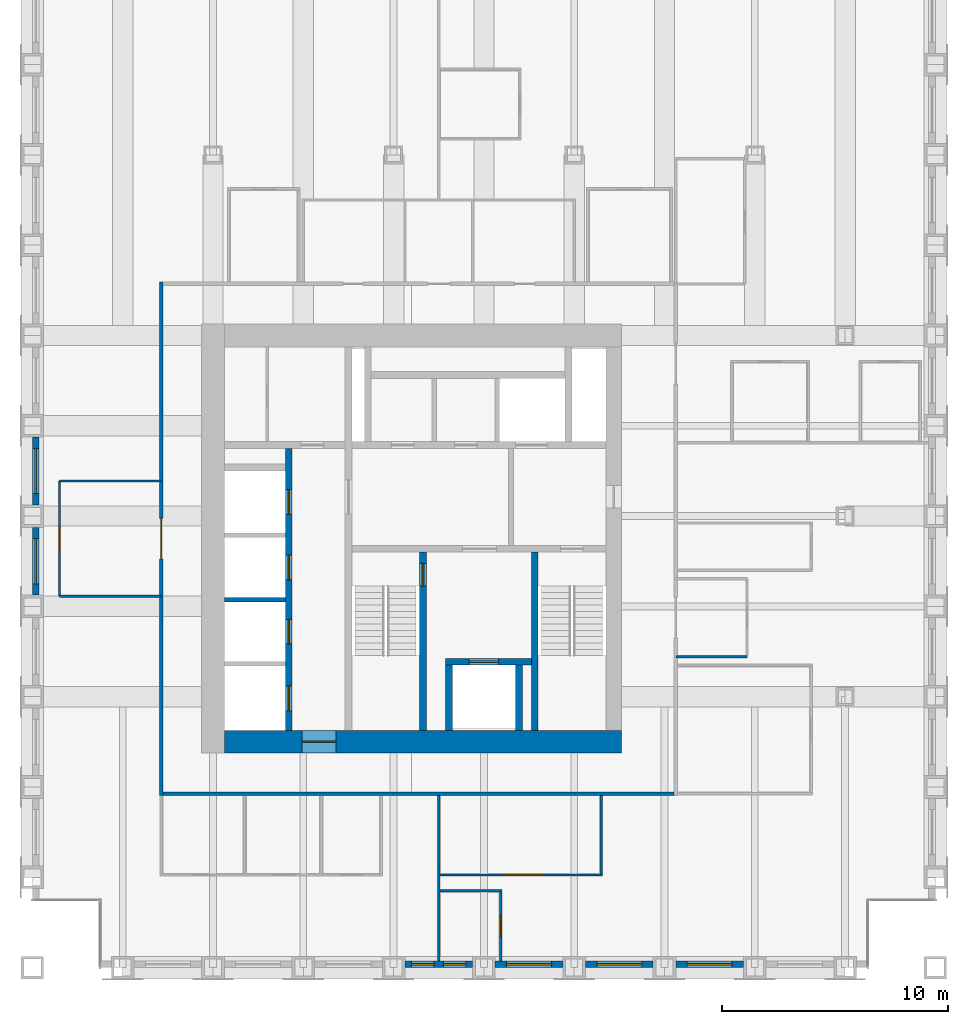
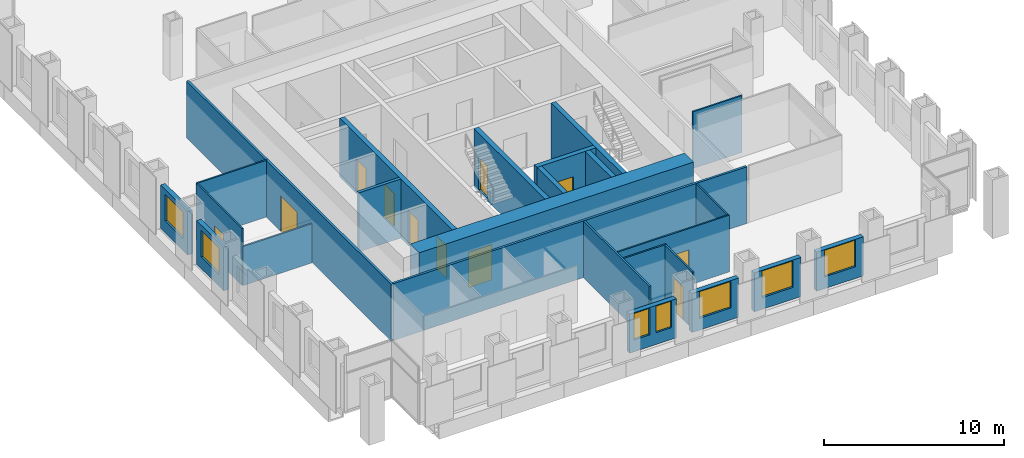
# One storey, part 9 of 14: 25 walls, 11 doors, 7 windows, 18 openings.
"""IFC4 building model written with IfcOpenShell, lengths in metres."""

from ifc_helpers import new_model, si_unit, direction, frame, frame_2d, origin, place, context, subcontext, project, spatial, rectangle, extrude, material, layer, layer_set, type_object, element, fill, save


model = new_model("IFC4")

# Units and contexts
model_context = context("Model", 3, precision=1e-05, world=origin(), true_north=direction((0.0, 1.0)))
body_context = subcontext(model_context, "Body", "Model", "MODEL_VIEW")
ifc_project = project(units=[si_unit("LENGTHUNIT", "METRE"), si_unit("AREAUNIT", "SQUARE_METRE"), si_unit("VOLUMEUNIT", "CUBIC_METRE"), si_unit("PLANEANGLEUNIT", "RADIAN"), si_unit("MASSUNIT", "GRAM", prefix="KILO")], contexts=[model_context])

# Site, building, storey
site_placement = place(None, origin())
site = spatial("IfcSite", under=ifc_project, at=site_placement, CompositionType="ELEMENT")
building_placement = place(site_placement, origin())
building = spatial("IfcBuilding", under=site, at=building_placement, Name="Rimbunsela Tower", CompositionType="ELEMENT")
storey_placement = place(building_placement, frame((0.0, 0.0, 234.199951171875)))
storey = spatial("IfcBuildingStorey", under=building, at=storey_placement, Name="L56", CompositionType="ELEMENT", Elevation=234.199951171875)

# Wall, opening, door
ifc_material_1 = material(Name="Concrete fc' 80 MPa", Category="concrete")
ifc_layer_1 = layer(ifc_material_1, 0.300048828125)
ifc_layer_set_1 = layer_set([ifc_layer_1], Name="Core internal wall 300")
wall_type_1 = type_object("IfcWallType", Name="Core internal wall 300", PredefinedType="SHEAR", material=ifc_layer_set_1)
wall_1_placement = place(storey_placement, frame((27.300048828125, 18.5, -0.14990234375), z_axis=(0.0, 0.0, 1.0), x_axis=(0.0, 1.0, 0.0)))
wall_1 = element("IfcWall", 1, at=wall_1_placement, inside=storey, type_object=wall_type_1, Name="Stair A enclosure", PredefinedType="SHEAR", context=body_context, shape_type="SweptSolid", body=[
    extrude(rectangle(XDim=7.89990234375, YDim=0.300048828125, at=frame_2d((3.949951171875, 0.0))), origin(), (0.0, 0.0, 1.0), 4.0),
])
opening_1_placement = place(wall_1_placement, frame((6.39990234375, 0.0, 0.14990234375)))
opening_1 = element("IfcOpeningElement", 2, at=opening_1_placement, cuts=wall_1, Name="Opening D01", PredefinedType="OPENING", context=body_context, shape_type="SweptSolid", body=[
    extrude(rectangle(XDim=1.0, YDim=2.199951171875, at=frame_2d((0.5, 1.10009765625))), frame((0.0, 0.159912109375, 0.0), z_axis=(0.0, -1.0, 0.0), x_axis=(1.0, 0.0, 0.0)), (0.0, 0.0, 1.0), 0.320068359375),
])
ifc_material_2 = material(Name="Steel door, fire rated", Category="steel")
door_type_1 = type_object("IfcDoorType", Name="Stair door 1000", OperationType="SINGLE_SWING_RIGHT", PredefinedType="DOOR", material=ifc_material_2)
door_1_placement = place(opening_1_placement, origin())
door_1 = element("IfcDoor", 3, at=door_1_placement, inside=storey, type_object=door_type_1, Name="Stair A door", OperationType="SINGLE_SWING_RIGHT", OverallHeight=2.199951171875, OverallWidth=1.0, PredefinedType="DOOR", context=body_context, shape_type="SweptSolid", body=[
    extrude(rectangle(XDim=1.0, YDim=2.199951171875, at=frame_2d((0.5, 1.10009765625))), frame((0.0, 0.02490234375, 0.0), z_axis=(0.0, -1.0, 0.0), x_axis=(1.0, 0.0, 0.0)), (0.0, 0.0, 1.0), 0.050048828125),
])
fill(opening_1, door_1)

# Walls
wall_2_placement = place(storey_placement, frame((32.25, 18.5, -0.14990234375), z_axis=(0.0, 0.0, 1.0), x_axis=(0.0, 1.0, 0.0)))
element("IfcWall", 4, at=wall_2_placement, inside=storey, type_object=wall_type_1, Name="Stair B enclosure", PredefinedType="SHEAR", context=body_context, shape_type="SweptSolid", body=[
    extrude(rectangle(XDim=7.89990234375, YDim=0.300048828125, at=frame_2d((3.949951171875, 0.0))), origin(), (0.0, 0.0, 1.0), 4.0),
])
for number, where, z_axis, x_axis, name in (
    (5, (28.449951171875, 18.5, -0.14990234375), (0.0, 0.0, 1.0), (0.0, 1.0, 0.0), "Firefighting lift shaft west"),
    (6, (31.550048828125, 18.5, -0.14990234375), (0.0, 0.0, 1.0), (0.0, 1.0, 0.0), "Firefighting lift shaft east"),
):
    element("IfcWall", number, at=place(storey_placement, frame(where, z_axis=z_axis, x_axis=x_axis)), inside=storey, type_object=wall_type_1, Name=name, PredefinedType="SHEAR", context=body_context, shape_type="SweptSolid", body=[
        extrude(rectangle(XDim=2.89990234375, YDim=0.300048828125, at=frame_2d((1.449951171875, 0.0))), origin(), (0.0, 0.0, 1.0), 4.0),
    ])

# Wall, opening, door
wall_3_placement = place(storey_placement, frame((28.300048828125, 21.550048828125, -0.14990234375), z_axis=(0.0, 0.0, 1.0), x_axis=(1.0, 0.0, 0.0)))
wall_3 = element("IfcWall", 7, at=wall_3_placement, inside=storey, type_object=wall_type_1, Name="Firefighting lift shaft front", PredefinedType="SHEAR", context=body_context, shape_type="SweptSolid", body=[
    extrude(rectangle(XDim=3.800048828125, YDim=0.300048828125, at=frame_2d((1.89990234375, 0.0))), origin(), (0.0, 0.0, 1.0), 4.0),
])
opening_2_placement = place(wall_3_placement, frame((1.050048828125, 0.0, 0.14990234375)))
opening_2 = element("IfcOpeningElement", 8, at=opening_2_placement, cuts=wall_3, Name="Opening LD2", PredefinedType="OPENING", context=body_context, shape_type="SweptSolid", body=[
    extrude(rectangle(XDim=1.300048828125, YDim=2.39990234375, at=frame_2d((0.64990234375, 1.199951171875))), frame((0.0, 0.159912109375, 0.0), z_axis=(0.0, -1.0, 0.0), x_axis=(1.0, 0.0, 0.0)), (0.0, 0.0, 1.0), 0.320068359375),
])
ifc_material_3 = material(Name="Steel door, fire rated", Category="steel")
door_type_2 = type_object("IfcDoorType", Name="Lift landing door 1300", OperationType="DOUBLE_DOOR_SLIDING", PredefinedType="DOOR", material=ifc_material_3)
door_2_placement = place(opening_2_placement, origin())
door_2 = element("IfcDoor", 9, at=door_2_placement, inside=storey, type_object=door_type_2, Name="Lift landing door FL1", OperationType="DOUBLE_DOOR_SLIDING", OverallHeight=2.39990234375, OverallWidth=1.300048828125, PredefinedType="DOOR", context=body_context, shape_type="SweptSolid", body=[
    extrude(rectangle(XDim=1.300048828125, YDim=2.39990234375, at=frame_2d((0.64990234375, 1.199951171875))), frame((0.0, 0.02490234375, 0.0), z_axis=(0.0, -1.0, 0.0), x_axis=(1.0, 0.0, 0.0)), (0.0, 0.0, 1.0), 0.050048828125),
])
fill(opening_2, door_2)

# Wall, openings, doors
wall_4_placement = place(storey_placement, frame((21.35009765625, 18.5, -0.14990234375), z_axis=(0.0, 0.0, 1.0), x_axis=(0.0, 1.0, 0.0)))
wall_4 = element("IfcWall", 10, at=wall_4_placement, inside=storey, type_object=wall_type_1, Name="Lift shaft front west", PredefinedType="SHEAR", context=body_context, shape_type="SweptSolid", body=[
    extrude(rectangle(XDim=12.5, YDim=0.300048828125, at=frame_2d((6.25, 0.0))), origin(), (0.0, 0.0, 1.0), 4.0),
])
opening_3_placement = place(wall_4_placement, frame((0.875, 0.0, 0.14990234375)))
opening_3 = element("IfcOpeningElement", 11, at=opening_3_placement, cuts=wall_4, Name="Opening LD1", PredefinedType="OPENING", context=body_context, shape_type="SweptSolid", body=[
    extrude(rectangle(XDim=1.10009765625, YDim=2.199951171875, at=frame_2d((0.550048828125, 1.10009765625))), frame((0.0, 0.159912109375, 0.0), z_axis=(0.0, -1.0, 0.0), x_axis=(1.0, 0.0, 0.0)), (0.0, 0.0, 1.0), 0.320068359375),
])
opening_4_placement = place(wall_4_placement, frame((3.824951171875, 0.0, 0.14990234375)))
opening_4 = element("IfcOpeningElement", 12, at=opening_4_placement, cuts=wall_4, Name="Opening LD1", PredefinedType="OPENING", context=body_context, shape_type="SweptSolid", body=[
    extrude(rectangle(XDim=1.10009765625, YDim=2.199951171875, at=frame_2d((0.550048828125, 1.10009765625))), frame((0.0, 0.159912109375, 0.0), z_axis=(0.0, -1.0, 0.0), x_axis=(1.0, 0.0, 0.0)), (0.0, 0.0, 1.0), 0.320068359375),
])
opening_5_placement = place(wall_4_placement, frame((6.675048828125, 0.0, 0.14990234375)))
opening_5 = element("IfcOpeningElement", 13, at=opening_5_placement, cuts=wall_4, Name="Opening LD1", PredefinedType="OPENING", context=body_context, shape_type="SweptSolid", body=[
    extrude(rectangle(XDim=1.10009765625, YDim=2.199951171875, at=frame_2d((0.550048828125, 1.10009765625))), frame((0.0, 0.159912109375, 0.0), z_axis=(0.0, -1.0, 0.0), x_axis=(1.0, 0.0, 0.0)), (0.0, 0.0, 1.0), 0.320068359375),
])
opening_6_placement = place(wall_4_placement, frame((9.574951171875, 0.0, 0.14990234375)))
opening_6 = element("IfcOpeningElement", 14, at=opening_6_placement, cuts=wall_4, Name="Opening LD1", PredefinedType="OPENING", context=body_context, shape_type="SweptSolid", body=[
    extrude(rectangle(XDim=1.10009765625, YDim=2.199951171875, at=frame_2d((0.550048828125, 1.10009765625))), frame((0.0, 0.159912109375, 0.0), z_axis=(0.0, -1.0, 0.0), x_axis=(1.0, 0.0, 0.0)), (0.0, 0.0, 1.0), 0.320068359375),
])
ifc_material_4 = material(Name="Steel door, fire rated", Category="steel")
door_type_3 = type_object("IfcDoorType", Name="Lift landing door 1100", OperationType="DOUBLE_DOOR_SLIDING", PredefinedType="DOOR", material=ifc_material_4)
door_3_placement = place(opening_3_placement, origin())
door_3 = element("IfcDoor", 15, at=door_3_placement, inside=storey, type_object=door_type_3, Name="Lift landing door TL1", OperationType="DOUBLE_DOOR_SLIDING", OverallHeight=2.199951171875, OverallWidth=1.10009765625, PredefinedType="DOOR", context=body_context, shape_type="SweptSolid", body=[
    extrude(rectangle(XDim=1.10009765625, YDim=2.199951171875, at=frame_2d((0.550048828125, 1.10009765625))), frame((0.0, 0.02490234375, 0.0), z_axis=(0.0, -1.0, 0.0), x_axis=(1.0, 0.0, 0.0)), (0.0, 0.0, 1.0), 0.050048828125),
])
fill(opening_3, door_3)
door_4_placement = place(opening_4_placement, origin())
door_4 = element("IfcDoor", 16, at=door_4_placement, inside=storey, type_object=door_type_3, Name="Lift landing door TL2", OperationType="DOUBLE_DOOR_SLIDING", OverallHeight=2.199951171875, OverallWidth=1.10009765625, PredefinedType="DOOR", context=body_context, shape_type="SweptSolid", body=[
    extrude(rectangle(XDim=1.10009765625, YDim=2.199951171875, at=frame_2d((0.550048828125, 1.10009765625))), frame((0.0, 0.02490234375, 0.0), z_axis=(0.0, -1.0, 0.0), x_axis=(1.0, 0.0, 0.0)), (0.0, 0.0, 1.0), 0.050048828125),
])
fill(opening_4, door_4)
door_5_placement = place(opening_5_placement, origin())
door_5 = element("IfcDoor", 17, at=door_5_placement, inside=storey, type_object=door_type_3, Name="Lift landing door TL3", OperationType="DOUBLE_DOOR_SLIDING", OverallHeight=2.199951171875, OverallWidth=1.10009765625, PredefinedType="DOOR", context=body_context, shape_type="SweptSolid", body=[
    extrude(rectangle(XDim=1.10009765625, YDim=2.199951171875, at=frame_2d((0.550048828125, 1.10009765625))), frame((0.0, 0.02490234375, 0.0), z_axis=(0.0, -1.0, 0.0), x_axis=(1.0, 0.0, 0.0)), (0.0, 0.0, 1.0), 0.050048828125),
])
fill(opening_5, door_5)
door_6_placement = place(opening_6_placement, origin())
door_6 = element("IfcDoor", 18, at=door_6_placement, inside=storey, type_object=door_type_3, Name="Lift landing door TL4", OperationType="DOUBLE_DOOR_SLIDING", OverallHeight=2.199951171875, OverallWidth=1.10009765625, PredefinedType="DOOR", context=body_context, shape_type="SweptSolid", body=[
    extrude(rectangle(XDim=1.10009765625, YDim=2.199951171875, at=frame_2d((0.550048828125, 1.10009765625))), frame((0.0, 0.02490234375, 0.0), z_axis=(0.0, -1.0, 0.0), x_axis=(1.0, 0.0, 0.0)), (0.0, 0.0, 1.0), 0.050048828125),
])
fill(opening_6, door_6)

# Wall, opening, door
ifc_material_5 = material(Name="Concrete fc' 80 MPa", Category="concrete")
ifc_layer_2 = layer(ifc_material_5, 1.0)
ifc_layer_set_2 = layer_set([ifc_layer_2], Name="Core wall 1000")
wall_type_2 = type_object("IfcWallType", Name="Core wall 1000", PredefinedType="SHEAR", material=ifc_layer_set_2)
wall_5_placement = place(storey_placement, frame((18.5, 18.0, -0.14990234375), z_axis=(0.0, 0.0, 1.0), x_axis=(1.0, 0.0, 0.0)))
wall_5 = element("IfcWall", 19, at=wall_5_placement, inside=storey, type_object=wall_type_2, Name="Core wall south", PredefinedType="SHEAR", context=body_context, shape_type="SweptSolid", body=[
    extrude(rectangle(XDim=17.60009765625, YDim=1.0, at=frame_2d((8.800048828125, 0.0))), origin(), (0.0, 0.0, 1.0), 4.0),
])
opening_7_placement = place(wall_5_placement, frame((3.449951171875, 0.0, 0.14990234375)))
opening_7 = element("IfcOpeningElement", 20, at=opening_7_placement, cuts=wall_5, Name="Opening D03", PredefinedType="OPENING", context=body_context, shape_type="SweptSolid", body=[
    extrude(rectangle(XDim=1.5, YDim=2.39990234375, at=frame_2d((0.75, 1.199951171875))), frame((0.0, 0.510009765625, 0.0), z_axis=(0.0, -1.0, 0.0), x_axis=(1.0, 0.0, 0.0)), (0.0, 0.0, 1.0), 1.02001953125),
])
ifc_material_6 = material(Name="Steel door, fire rated", Category="steel")
door_type_4 = type_object("IfcDoorType", Name="Core lobby door 1500", OperationType="DOUBLE_DOOR_DOUBLE_SWING", PredefinedType="DOOR", material=ifc_material_6)
door_7_placement = place(opening_7_placement, origin())
door_7 = element("IfcDoor", 21, at=door_7_placement, inside=storey, type_object=door_type_4, Name="Core door south", OperationType="DOUBLE_DOOR_DOUBLE_SWING", OverallHeight=2.39990234375, OverallWidth=1.5, PredefinedType="DOOR", context=body_context, shape_type="SweptSolid", body=[
    extrude(rectangle(XDim=1.5, YDim=2.39990234375, at=frame_2d((0.75, 1.199951171875))), frame((0.0, 0.02490234375, 0.0), z_axis=(0.0, -1.0, 0.0), x_axis=(1.0, 0.0, 0.0)), (0.0, 0.0, 1.0), 0.050048828125),
])
fill(opening_7, door_7)

# Walls
ifc_material_7 = material(Name="Concrete blockwork", Category="masonry")
ifc_layer_3 = layer(ifc_material_7, 0.199951171875)
ifc_layer_set_3 = layer_set([ifc_layer_3], Name="Lift shaft wall 200")
wall_type_3 = type_object("IfcWallType", Name="Lift shaft wall 200", PredefinedType="SOLIDWALL", material=ifc_layer_set_3)
wall_6_placement = place(storey_placement, frame((18.5, 24.300048828125, -0.14990234375), z_axis=(0.0, 0.0, 1.0), x_axis=(1.0, 0.0, 0.0)))
element("IfcWall", 22, at=wall_6_placement, inside=storey, type_object=wall_type_3, Name="Lift shaft separation", PredefinedType="SOLIDWALL", context=body_context, shape_type="SweptSolid", body=[
    extrude(rectangle(XDim=2.699951171875, YDim=0.199951171875, at=frame_2d((1.35009765625, 0.0))), origin(), (0.0, 0.0, 1.0), 4.0),
])
ifc_material_8 = material(Name="Gypsum board on steel studs", Category="steel")
ifc_layer_4 = layer(ifc_material_8, 0.10009765625)
ifc_layer_set_4 = layer_set([ifc_layer_4], Name="Office partition 100")
wall_type_4 = type_object("IfcWallType", Name="Office partition 100", PredefinedType="PARTITIONING", material=ifc_layer_set_4)
wall_7_placement = place(storey_placement, frame((28.06005859375, 11.39990234375, 0.0), z_axis=(0.0, 0.0, 1.0), x_axis=(1.0, 0.0, 0.0)))
element("IfcWall", 23, at=wall_7_placement, inside=storey, type_object=wall_type_4, Name="Office partition", PredefinedType="PARTITIONING", context=body_context, shape_type="SweptSolid", body=[
    extrude(rectangle(XDim=2.739990234375, YDim=0.10009765625, at=frame_2d((1.3701171875, 0.0))), origin(), (0.0, 0.0, 1.0), 3.85009765625),
])

# Wall, opening, door
wall_8_placement = place(storey_placement, frame((28.06103515625, 12.10009765625, 0.0), z_axis=(0.0, 0.0, 1.0), x_axis=(1.0, 0.0, 0.0)))
wall_8 = element("IfcWall", 24, at=wall_8_placement, inside=storey, type_object=wall_type_4, Name="Office partition", PredefinedType="PARTITIONING", context=body_context, shape_type="SweptSolid", body=[
    extrude(rectangle(XDim=7.18994140625, YDim=0.10009765625, at=frame_2d((3.594970703125, 0.0))), origin(), (0.0, 0.0, 1.0), 3.85009765625),
])
opening_8_placement = place(wall_8_placement, frame((2.7900390625, 0.0, 0.0)))
opening_8 = element("IfcOpeningElement", 25, at=opening_8_placement, cuts=wall_8, Name="Opening D18", PredefinedType="OPENING", context=body_context, shape_type="SweptSolid", body=[
    extrude(rectangle(XDim=1.800048828125, YDim=2.39990234375, at=frame_2d((0.89990234375, 1.199951171875))), frame((0.0, 0.06005859375, 0.0), z_axis=(0.0, -1.0, 0.0), x_axis=(1.0, 0.0, 0.0)), (0.0, 0.0, 1.0), 0.1201171875),
])
ifc_material_9 = material(Name="Glazed aluminium door", Category="aluminium")
door_type_5 = type_object("IfcDoorType", Name="Boardroom door 1800 glazed", OperationType="DOUBLE_DOOR_DOUBLE_SWING", PredefinedType="DOOR", material=ifc_material_9)
door_8_placement = place(opening_8_placement, origin())
door_8 = element("IfcDoor", 26, at=door_8_placement, inside=storey, type_object=door_type_5, Name="Boardroom door", OperationType="DOUBLE_DOOR_DOUBLE_SWING", OverallHeight=2.39990234375, OverallWidth=1.800048828125, PredefinedType="DOOR", context=body_context, shape_type="SweptSolid", body=[
    extrude(rectangle(XDim=1.800048828125, YDim=2.39990234375, at=frame_2d((0.89990234375, 1.199951171875))), frame((0.0, 0.02490234375, 0.0), z_axis=(0.0, -1.0, 0.0), x_axis=(1.0, 0.0, 0.0)), (0.0, 0.0, 1.0), 0.050048828125),
])
fill(opening_8, door_8)

wall_9_placement = place(storey_placement, frame((30.75, 8.300048828125, 0.0), z_axis=(0.0, 0.0, 1.0), x_axis=(0.0, 1.0, 0.0)))
wall_9 = element("IfcWall", 27, at=wall_9_placement, inside=storey, type_object=wall_type_4, Name="Office partition", PredefinedType="PARTITIONING", context=body_context, shape_type="SweptSolid", body=[
    extrude(rectangle(XDim=3.050048828125, YDim=0.10009765625, at=frame_2d((1.52490234375, 0.0))), origin(), (0.0, 0.0, 1.0), 3.85009765625),
])
opening_9_placement = place(wall_9_placement, frame((1.050048828125, 0.0, 0.0)))
opening_9 = element("IfcOpeningElement", 28, at=opening_9_placement, cuts=wall_9, Name="Opening D16", PredefinedType="OPENING", context=body_context, shape_type="SweptSolid", body=[
    extrude(rectangle(XDim=1.0, YDim=2.199951171875, at=frame_2d((0.5, 1.10009765625))), frame((0.0, 0.06005859375, 0.0), z_axis=(0.0, -1.0, 0.0), x_axis=(1.0, 0.0, 0.0)), (0.0, 0.0, 1.0), 0.1201171875),
])
ifc_material_10 = material(Name="Timber door", Category="wood")
door_type_6 = type_object("IfcDoorType", Name="Office door 1000", OperationType="SINGLE_SWING_LEFT", PredefinedType="DOOR", material=ifc_material_10)
door_9_placement = place(opening_9_placement, origin())
door_9 = element("IfcDoor", 29, at=door_9_placement, inside=storey, type_object=door_type_6, Name="Office door", OperationType="SINGLE_SWING_LEFT", OverallHeight=2.199951171875, OverallWidth=1.0, PredefinedType="DOOR", context=body_context, shape_type="SweptSolid", body=[
    extrude(rectangle(XDim=1.0, YDim=2.199951171875, at=frame_2d((0.5, 1.10009765625))), frame((0.0, 0.02490234375, 0.0), z_axis=(0.0, -1.0, 0.0), x_axis=(1.0, 0.0, 0.0)), (0.0, 0.0, 1.0), 0.050048828125),
])
fill(opening_9, door_9)

# Walls
wall_10_placement = place(storey_placement, frame((35.200927734375, 12.14990234375, 0.0), z_axis=(0.0, 0.0, 1.0), x_axis=(0.0, 1.0, 0.0)))
element("IfcWall", 30, at=wall_10_placement, inside=storey, type_object=wall_type_4, Name="Office partition", PredefinedType="PARTITIONING", context=body_context, shape_type="SweptSolid", body=[
    extrude(rectangle(XDim=3.47509765625, YDim=0.10009765625, at=frame_2d((1.737548828125, 0.0))), origin(), (0.0, 0.0, 1.0), 3.85009765625),
])
wall_11_placement = place(storey_placement, frame((15.699951171875, 29.550048828125, 0.0), z_axis=(0.0, 0.0, 1.0), x_axis=(-1.0, 0.0, 0.0)))
element("IfcWall", 31, at=wall_11_placement, inside=storey, type_object=wall_type_4, Name="Office partition", PredefinedType="PARTITIONING", context=body_context, shape_type="SweptSolid", body=[
    extrude(rectangle(XDim=4.5, YDim=0.10009765625, at=frame_2d((2.25, 0.0))), origin(), (0.0, 0.0, 1.0), 3.85009765625),
])

# Wall, opening, door
wall_12_placement = place(storey_placement, frame((11.199951171875, 29.550048828125, 0.0), z_axis=(0.0, 0.0, 1.0), x_axis=(0.0, -1.0, 0.0)))
wall_12 = element("IfcWall", 32, at=wall_12_placement, inside=storey, type_object=wall_type_4, Name="Office partition", PredefinedType="PARTITIONING", context=body_context, shape_type="SweptSolid", body=[
    extrude(rectangle(XDim=5.10009765625, YDim=0.10009765625, at=frame_2d((2.550048828125, 0.0))), origin(), (0.0, 0.0, 1.0), 3.85009765625),
])
opening_10_placement = place(wall_12_placement, frame((2.050048828125, 0.0, 0.0)))
opening_10 = element("IfcOpeningElement", 33, at=opening_10_placement, cuts=wall_12, Name="Opening D17", PredefinedType="OPENING", context=body_context, shape_type="SweptSolid", body=[
    extrude(rectangle(XDim=1.0, YDim=2.199951171875, at=frame_2d((0.5, 1.10009765625))), frame((0.0, 0.06005859375, 0.0), z_axis=(0.0, -1.0, 0.0), x_axis=(1.0, 0.0, 0.0)), (0.0, 0.0, 1.0), 0.1201171875),
])
ifc_material_11 = material(Name="Glazed aluminium door", Category="aluminium")
door_type_7 = type_object("IfcDoorType", Name="Meeting room door 1000 glazed", OperationType="SINGLE_SWING_RIGHT", PredefinedType="DOOR", material=ifc_material_11)
door_10_placement = place(opening_10_placement, origin())
door_10 = element("IfcDoor", 34, at=door_10_placement, inside=storey, type_object=door_type_7, Name="Reception door", OperationType="SINGLE_SWING_RIGHT", OverallHeight=2.199951171875, OverallWidth=1.0, PredefinedType="DOOR", context=body_context, shape_type="SweptSolid", body=[
    extrude(rectangle(XDim=1.0, YDim=2.199951171875, at=frame_2d((0.5, 1.10009765625))), frame((0.0, 0.02490234375, 0.0), z_axis=(0.0, -1.0, 0.0), x_axis=(1.0, 0.0, 0.0)), (0.0, 0.0, 1.0), 0.050048828125),
])
fill(opening_10, door_10)

# Walls
wall_13_placement = place(storey_placement, frame((11.199951171875, 24.449951171875, 0.0), z_axis=(0.0, 0.0, 1.0), x_axis=(1.0, 0.0, 0.0)))
element("IfcWall", 35, at=wall_13_placement, inside=storey, type_object=wall_type_4, Name="Office partition", PredefinedType="PARTITIONING", context=body_context, shape_type="SweptSolid", body=[
    extrude(rectangle(XDim=4.5, YDim=0.10009765625, at=frame_2d((2.25, 0.0))), origin(), (0.0, 0.0, 1.0), 2.650146484375),
])
wall_14_placement = place(storey_placement, frame((38.5, 21.77392578125, 0.0), z_axis=(0.0, 0.0, 1.0), x_axis=(1.0, 0.0, 0.0)))
element("IfcWall", 36, at=wall_14_placement, inside=storey, type_object=wall_type_4, Name="Office partition", PredefinedType="PARTITIONING", context=body_context, shape_type="SweptSolid", body=[
    extrude(rectangle(XDim=3.14990234375, YDim=0.10009765625, at=frame_2d((1.574951171875, 0.0))), origin(), (0.0, 0.0, 1.0), 3.85009765625),
])

# Wall, openings, windows
ifc_material_12 = material(Name="Precast concrete fc' 35 MPa", Category="concrete")
ifc_layer_5 = layer(ifc_material_12, 0.300048828125)
ifc_layer_set_5 = layer_set([ifc_layer_5], Name="Precast concrete fc' 35 MPa")
wall_type_5 = type_object("IfcWallType", Name="Precast facade panel 300", PredefinedType="ELEMENTEDWALL", material=ifc_layer_set_5)
wall_15_placement = place(storey_placement, frame((26.5, 8.14990234375, 0.0), z_axis=(0.0, 0.0, 1.0), x_axis=(1.0, 0.0, 0.0)))
wall_15 = element("IfcWall", 37, at=wall_15_placement, inside=storey, type_object=wall_type_5, Name="Facade panel S L56", PredefinedType="ELEMENTEDWALL", context=body_context, shape_type="SweptSolid", body=[
    extrude(rectangle(XDim=3.0, YDim=0.300048828125, at=frame_2d((1.5, 0.0))), origin(), (0.0, 0.0, 1.0), 2.650146484375),
])
opening_11_placement = place(wall_15_placement, frame((0.300048828125, 0.0, 0.800048828125)))
opening_11 = element("IfcOpeningElement", 38, at=opening_11_placement, cuts=wall_15, Name="Opening W8", PredefinedType="OPENING", context=body_context, shape_type="SweptSolid", body=[
    extrude(rectangle(XDim=1.0, YDim=1.800048828125, at=frame_2d((0.5, 0.89990234375))), frame((0.0, 0.159912109375, 0.0), z_axis=(0.0, -1.0, 0.0), x_axis=(1.0, 0.0, 0.0)), (0.0, 0.0, 1.0), 0.320068359375),
])
opening_12_placement = place(wall_15_placement, frame((1.699951171875, 0.0, 0.800048828125)))
opening_12 = element("IfcOpeningElement", 39, at=opening_12_placement, cuts=wall_15, Name="Opening W8", PredefinedType="OPENING", context=body_context, shape_type="SweptSolid", body=[
    extrude(rectangle(XDim=1.0, YDim=1.800048828125, at=frame_2d((0.5, 0.89990234375))), frame((0.0, 0.159912109375, 0.0), z_axis=(0.0, -1.0, 0.0), x_axis=(1.0, 0.0, 0.0)), (0.0, 0.0, 1.0), 0.320068359375),
])
ifc_material_13 = material(Name="Clear glass in aluminium frame", Category="aluminium")
window_type_1 = type_object("IfcWindowType", Name="Window W8 1000x1800", PartitioningType="SINGLE_PANEL", PredefinedType="WINDOW", material=ifc_material_13)
window_1_placement = place(opening_11_placement, origin())
window_1 = element("IfcWindow", 40, at=window_1_placement, inside=storey, type_object=window_type_1, Name="Window L56", OverallHeight=1.800048828125, OverallWidth=1.0, PartitioningType="SINGLE_PANEL", PredefinedType="WINDOW", context=body_context, shape_type="SweptSolid", body=[
    extrude(rectangle(XDim=1.0, YDim=1.800048828125, at=frame_2d((0.5, 0.89990234375))), frame((0.0, 0.030029296875, 0.0), z_axis=(0.0, -1.0, 0.0), x_axis=(1.0, 0.0, 0.0)), (0.0, 0.0, 1.0), 0.06005859375),
])
fill(opening_11, window_1)
window_2_placement = place(opening_12_placement, origin())
window_2 = element("IfcWindow", 41, at=window_2_placement, inside=storey, type_object=window_type_1, Name="Window L56", OverallHeight=1.800048828125, OverallWidth=1.0, PartitioningType="SINGLE_PANEL", PredefinedType="WINDOW", context=body_context, shape_type="SweptSolid", body=[
    extrude(rectangle(XDim=1.0, YDim=1.800048828125, at=frame_2d((0.5, 0.89990234375))), frame((0.0, 0.030029296875, 0.0), z_axis=(0.0, -1.0, 0.0), x_axis=(1.0, 0.0, 0.0)), (0.0, 0.0, 1.0), 0.06005859375),
])
fill(opening_12, window_2)

# Wall, opening, window
wall_16_placement = place(storey_placement, frame((30.5, 8.14990234375, 0.0), z_axis=(0.0, 0.0, 1.0), x_axis=(1.0, 0.0, 0.0)))
wall_16 = element("IfcWall", 42, at=wall_16_placement, inside=storey, type_object=wall_type_5, Name="Facade panel S L56", PredefinedType="ELEMENTEDWALL", context=body_context, shape_type="SweptSolid", body=[
    extrude(rectangle(XDim=3.0, YDim=0.300048828125, at=frame_2d((1.5, 0.0))), origin(), (0.0, 0.0, 1.0), 2.650146484375),
])
opening_13_placement = place(wall_16_placement, frame((0.5, 0.0, 0.800048828125)))
opening_13 = element("IfcOpeningElement", 43, at=opening_13_placement, cuts=wall_16, Name="Opening W7", PredefinedType="OPENING", context=body_context, shape_type="SweptSolid", body=[
    extrude(rectangle(XDim=2.0, YDim=1.800048828125, at=frame_2d((1.0, 0.89990234375))), frame((0.0, 0.159912109375, 0.0), z_axis=(0.0, -1.0, 0.0), x_axis=(1.0, 0.0, 0.0)), (0.0, 0.0, 1.0), 0.320068359375),
])
ifc_material_14 = material(Name="Clear glass in aluminium frame", Category="aluminium")
window_type_2 = type_object("IfcWindowType", Name="Window W7 2000x1800", PartitioningType="DOUBLE_PANEL_VERTICAL", PredefinedType="WINDOW", material=ifc_material_14)
window_3_placement = place(opening_13_placement, origin())
window_3 = element("IfcWindow", 44, at=window_3_placement, inside=storey, type_object=window_type_2, Name="Window L56", OverallHeight=1.800048828125, OverallWidth=2.0, PartitioningType="SINGLE_PANEL", PredefinedType="WINDOW", context=body_context, shape_type="SweptSolid", body=[
    extrude(rectangle(XDim=2.0, YDim=1.800048828125, at=frame_2d((1.0, 0.89990234375))), frame((0.0, 0.030029296875, 0.0), z_axis=(0.0, -1.0, 0.0), x_axis=(1.0, 0.0, 0.0)), (0.0, 0.0, 1.0), 0.06005859375),
])
fill(opening_13, window_3)

wall_17_placement = place(storey_placement, frame((34.5, 8.14990234375, 0.0), z_axis=(0.0, 0.0, 1.0), x_axis=(1.0, 0.0, 0.0)))
wall_17 = element("IfcWall", 45, at=wall_17_placement, inside=storey, type_object=wall_type_5, Name="Facade panel S L56", PredefinedType="ELEMENTEDWALL", context=body_context, shape_type="SweptSolid", body=[
    extrude(rectangle(XDim=3.0, YDim=0.300048828125, at=frame_2d((1.5, 0.0))), origin(), (0.0, 0.0, 1.0), 2.650146484375),
])
opening_14_placement = place(wall_17_placement, frame((0.5, 0.0, 0.800048828125)))
opening_14 = element("IfcOpeningElement", 46, at=opening_14_placement, cuts=wall_17, Name="Opening W7", PredefinedType="OPENING", context=body_context, shape_type="SweptSolid", body=[
    extrude(rectangle(XDim=2.0, YDim=1.800048828125, at=frame_2d((1.0, 0.89990234375))), frame((0.0, 0.159912109375, 0.0), z_axis=(0.0, -1.0, 0.0), x_axis=(1.0, 0.0, 0.0)), (0.0, 0.0, 1.0), 0.320068359375),
])
window_4_placement = place(opening_14_placement, origin())
window_4 = element("IfcWindow", 47, at=window_4_placement, inside=storey, type_object=window_type_2, Name="Window L56", OverallHeight=1.800048828125, OverallWidth=2.0, PartitioningType="SINGLE_PANEL", PredefinedType="WINDOW", context=body_context, shape_type="SweptSolid", body=[
    extrude(rectangle(XDim=2.0, YDim=1.800048828125, at=frame_2d((1.0, 0.89990234375))), frame((0.0, 0.030029296875, 0.0), z_axis=(0.0, -1.0, 0.0), x_axis=(1.0, 0.0, 0.0)), (0.0, 0.0, 1.0), 0.06005859375),
])
fill(opening_14, window_4)

wall_18_placement = place(storey_placement, frame((38.5, 8.14990234375, 0.0), z_axis=(0.0, 0.0, 1.0), x_axis=(1.0, 0.0, 0.0)))
wall_18 = element("IfcWall", 48, at=wall_18_placement, inside=storey, type_object=wall_type_5, Name="Facade panel S L56", PredefinedType="ELEMENTEDWALL", context=body_context, shape_type="SweptSolid", body=[
    extrude(rectangle(XDim=3.0, YDim=0.300048828125, at=frame_2d((1.5, 0.0))), origin(), (0.0, 0.0, 1.0), 2.650146484375),
])
opening_15_placement = place(wall_18_placement, frame((0.5, 0.0, 0.800048828125)))
opening_15 = element("IfcOpeningElement", 49, at=opening_15_placement, cuts=wall_18, Name="Opening W7", PredefinedType="OPENING", context=body_context, shape_type="SweptSolid", body=[
    extrude(rectangle(XDim=2.0, YDim=1.800048828125, at=frame_2d((1.0, 0.89990234375))), frame((0.0, 0.159912109375, 0.0), z_axis=(0.0, -1.0, 0.0), x_axis=(1.0, 0.0, 0.0)), (0.0, 0.0, 1.0), 0.320068359375),
])
window_5_placement = place(opening_15_placement, origin())
window_5 = element("IfcWindow", 50, at=window_5_placement, inside=storey, type_object=window_type_2, Name="Window L56", OverallHeight=1.800048828125, OverallWidth=2.0, PartitioningType="SINGLE_PANEL", PredefinedType="WINDOW", context=body_context, shape_type="SweptSolid", body=[
    extrude(rectangle(XDim=2.0, YDim=1.800048828125, at=frame_2d((1.0, 0.89990234375))), frame((0.0, 0.030029296875, 0.0), z_axis=(0.0, -1.0, 0.0), x_axis=(1.0, 0.0, 0.0)), (0.0, 0.0, 1.0), 0.06005859375),
])
fill(opening_15, window_5)

wall_19_placement = place(storey_placement, frame((10.14990234375, 27.5, 0.0), z_axis=(0.0, 0.0, 1.0), x_axis=(0.0, -1.0, 0.0)))
wall_19 = element("IfcWall", 51, at=wall_19_placement, inside=storey, type_object=wall_type_5, Name="Facade panel W L56", PredefinedType="ELEMENTEDWALL", context=body_context, shape_type="SweptSolid", body=[
    extrude(rectangle(XDim=3.0, YDim=0.300048828125, at=frame_2d((1.5, 0.0))), origin(), (0.0, 0.0, 1.0), 2.949951171875),
])
opening_16_placement = place(wall_19_placement, frame((0.5, 0.0, 0.800048828125)))
opening_16 = element("IfcOpeningElement", 52, at=opening_16_placement, cuts=wall_19, Name="Opening W7", PredefinedType="OPENING", context=body_context, shape_type="SweptSolid", body=[
    extrude(rectangle(XDim=2.0, YDim=1.800048828125, at=frame_2d((1.0, 0.89990234375))), frame((0.0, 0.159912109375, 0.0), z_axis=(0.0, -1.0, 0.0), x_axis=(1.0, 0.0, 0.0)), (0.0, 0.0, 1.0), 0.320068359375),
])
window_6_placement = place(opening_16_placement, origin())
window_6 = element("IfcWindow", 53, at=window_6_placement, inside=storey, type_object=window_type_2, Name="Window L56", OverallHeight=1.800048828125, OverallWidth=2.0, PartitioningType="SINGLE_PANEL", PredefinedType="WINDOW", context=body_context, shape_type="SweptSolid", body=[
    extrude(rectangle(XDim=2.0, YDim=1.800048828125, at=frame_2d((1.0, 0.89990234375))), frame((0.0, 0.030029296875, 0.0), z_axis=(0.0, -1.0, 0.0), x_axis=(1.0, 0.0, 0.0)), (0.0, 0.0, 1.0), 0.06005859375),
])
fill(opening_16, window_6)

wall_20_placement = place(storey_placement, frame((10.14990234375, 31.5, 0.0), z_axis=(0.0, 0.0, 1.0), x_axis=(0.0, -1.0, 0.0)))
wall_20 = element("IfcWall", 54, at=wall_20_placement, inside=storey, type_object=wall_type_5, Name="Facade panel W L56", PredefinedType="ELEMENTEDWALL", context=body_context, shape_type="SweptSolid", body=[
    extrude(rectangle(XDim=3.0, YDim=0.300048828125, at=frame_2d((1.5, 0.0))), origin(), (0.0, 0.0, 1.0), 2.949951171875),
])
opening_17_placement = place(wall_20_placement, frame((0.5, 0.0, 0.800048828125)))
opening_17 = element("IfcOpeningElement", 55, at=opening_17_placement, cuts=wall_20, Name="Opening W7", PredefinedType="OPENING", context=body_context, shape_type="SweptSolid", body=[
    extrude(rectangle(XDim=2.0, YDim=1.800048828125, at=frame_2d((1.0, 0.89990234375))), frame((0.0, 0.159912109375, 0.0), z_axis=(0.0, -1.0, 0.0), x_axis=(1.0, 0.0, 0.0)), (0.0, 0.0, 1.0), 0.320068359375),
])
window_7_placement = place(opening_17_placement, origin())
window_7 = element("IfcWindow", 56, at=window_7_placement, inside=storey, type_object=window_type_2, Name="Window L56", OverallHeight=1.800048828125, OverallWidth=2.0, PartitioningType="SINGLE_PANEL", PredefinedType="WINDOW", context=body_context, shape_type="SweptSolid", body=[
    extrude(rectangle(XDim=2.0, YDim=1.800048828125, at=frame_2d((1.0, 0.89990234375))), frame((0.0, 0.030029296875, 0.0), z_axis=(0.0, -1.0, 0.0), x_axis=(1.0, 0.0, 0.0)), (0.0, 0.0, 1.0), 0.06005859375),
])
fill(opening_17, window_7)

# Wall, opening, door
ifc_material_15 = material(Name="Fire-rated gypsum board on steel studs, EI 60", Category="steel")
ifc_layer_6 = layer(ifc_material_15, 0.14990234375)
ifc_layer_set_6 = layer_set([ifc_layer_6], Name="Rated corridor wall 150")
wall_type_6 = type_object("IfcWallType", Name="Rated corridor wall 150", PredefinedType="PARTITIONING", material=ifc_layer_set_6)
wall_21_placement = place(storey_placement, frame((15.699951171875, 15.625, 0.0), z_axis=(0.0, 0.0, 1.0), x_axis=(0.0, 1.0, 0.0)))
wall_21 = element("IfcWall", 57, at=wall_21_placement, inside=storey, type_object=wall_type_6, Name="Corridor wall west", PredefinedType="PARTITIONING", context=body_context, shape_type="SweptSolid", body=[
    extrude(rectangle(XDim=22.75, YDim=0.14990234375, at=frame_2d((11.375, 0.0))), origin(), (0.0, 0.0, 1.0), 3.85009765625),
])
opening_18_placement = place(wall_21_placement, frame((10.47509765625, 0.0, 0.0)))
opening_18 = element("IfcOpeningElement", 58, at=opening_18_placement, cuts=wall_21, Name="Opening D09", PredefinedType="OPENING", context=body_context, shape_type="SweptSolid", body=[
    extrude(rectangle(XDim=1.800048828125, YDim=2.39990234375, at=frame_2d((0.89990234375, 1.199951171875))), frame((0.0, 0.0849609375, 0.0), z_axis=(0.0, -1.0, 0.0), x_axis=(1.0, 0.0, 0.0)), (0.0, 0.0, 1.0), 0.169921875),
])
ifc_material_16 = material(Name="Glazed aluminium door, fire rated", Category="aluminium")
door_type_8 = type_object("IfcDoorType", Name="Tenancy door 1800 glazed", OperationType="DOUBLE_DOOR_DOUBLE_SWING", PredefinedType="DOOR", material=ifc_material_16)
door_11_placement = place(opening_18_placement, origin())
door_11 = element("IfcDoor", 59, at=door_11_placement, inside=storey, type_object=door_type_8, Name="Tenancy door", OperationType="DOUBLE_DOOR_DOUBLE_SWING", OverallHeight=2.39990234375, OverallWidth=1.800048828125, PredefinedType="DOOR", context=body_context, shape_type="SweptSolid", body=[
    extrude(rectangle(XDim=1.800048828125, YDim=2.39990234375, at=frame_2d((0.89990234375, 1.199951171875))), frame((0.0, 0.02490234375, 0.0), z_axis=(0.0, -1.0, 0.0), x_axis=(1.0, 0.0, 0.0)), (0.0, 0.0, 1.0), 0.050048828125),
])
fill(opening_18, door_11)

# Walls
wall_22_placement = place(storey_placement, frame((15.77490234375, 15.699951171875, 0.0), z_axis=(0.0, 0.0, 1.0), x_axis=(1.0, 0.0, 0.0)))
element("IfcWall", 60, at=wall_22_placement, inside=storey, type_object=wall_type_6, Name="Corridor wall south", PredefinedType="PARTITIONING", context=body_context, shape_type="SweptSolid", body=[
    extrude(rectangle(XDim=22.650146484375, YDim=0.14990234375, at=frame_2d((11.3251953125, 0.0))), origin(), (0.0, 0.0, 1.0), 3.85009765625),
])
ifc_material_17 = material(Name="Gypsum board on steel studs", Category="steel")
ifc_layer_7 = layer(ifc_material_17, 0.1201171875)
ifc_layer_set_7 = layer_set([ifc_layer_7], Name="Tenancy partition 120")
wall_type_7 = type_object("IfcWallType", Name="Tenancy partition 120", PredefinedType="PARTITIONING", material=ifc_layer_set_7)
wall_23_placement = place(storey_placement, frame((28.0, 8.300048828125, 0.0), z_axis=(0.0, 0.0, 1.0), x_axis=(0.0, 1.0, 0.0)))
element("IfcWall", 61, at=wall_23_placement, inside=storey, type_object=wall_type_7, Name="Tenancy partition south", PredefinedType="PARTITIONING", context=body_context, shape_type="SweptSolid", body=[
    extrude(rectangle(XDim=7.324951171875, YDim=0.1201171875, at=frame_2d((3.66259765625, 0.0))), origin(), (0.0, 0.0, 1.0), 3.85009765625),
])

save(model, "model.ifc")
